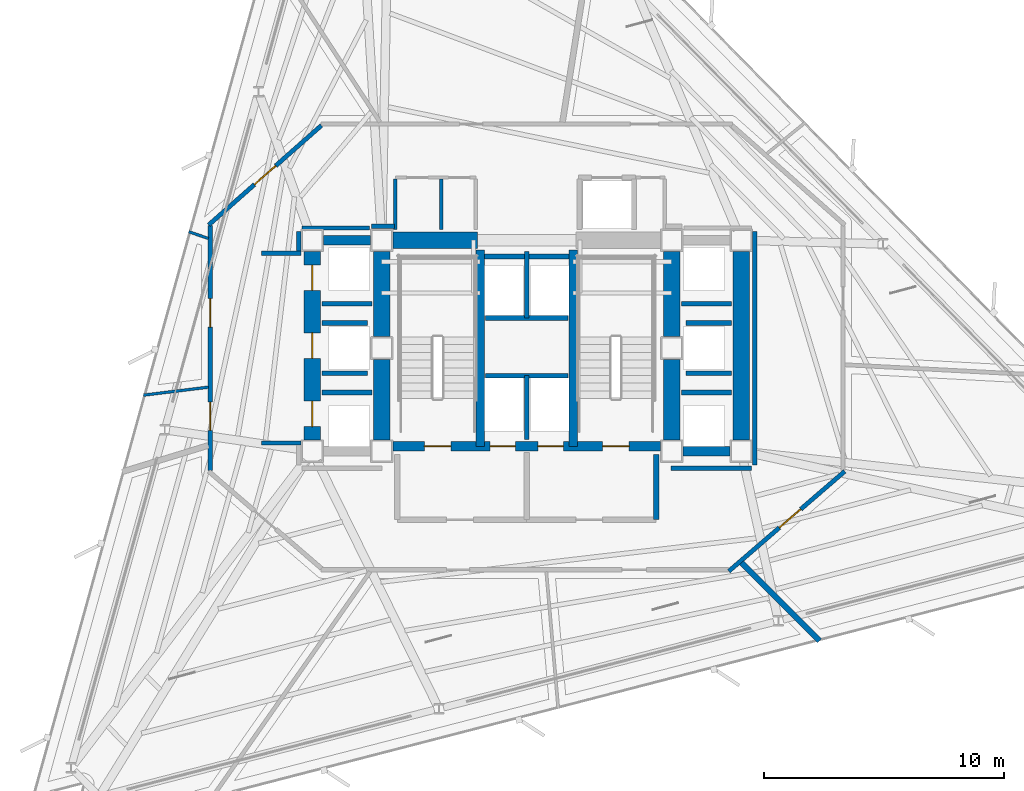
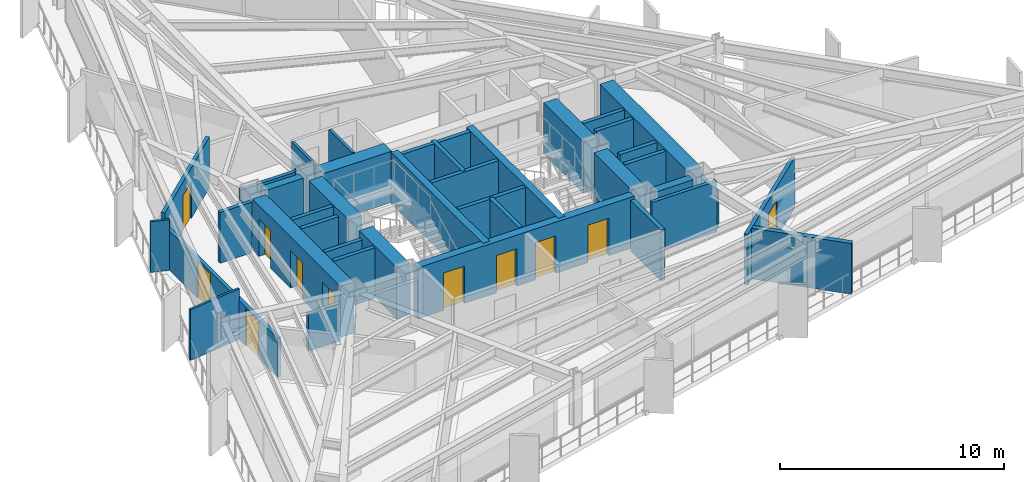
# One storey, part 7 of 11: 41 walls, 11 doors, 11 openings.
"""IFC4 building model written with IfcOpenShell, lengths in metres."""

from ifc_helpers import new_model, si_unit, direction, frame, frame_2d, origin, place, context, subcontext, project, spatial, rectangle, extrude, material, layer, layer_set, type_object, element, fill, save


model = new_model("IFC4")

# Units and contexts
model_context = context("Model", 3, precision=1e-05, world=origin(), true_north=direction((0.0, 1.0)))
body_context = subcontext(model_context, "Body", "Model", "MODEL_VIEW")
ifc_project = project(units=[si_unit("LENGTHUNIT", "METRE"), si_unit("AREAUNIT", "SQUARE_METRE"), si_unit("VOLUMEUNIT", "CUBIC_METRE"), si_unit("PLANEANGLEUNIT", "RADIAN"), si_unit("MASSUNIT", "GRAM", prefix="KILO")], contexts=[model_context])

# Site, building, storey
site_placement = place(None, origin())
site = spatial("IfcSite", under=ifc_project, at=site_placement, CompositionType="ELEMENT")
building_placement = place(site_placement, origin())
building = spatial("IfcBuilding", under=site, at=building_placement, Name="Rocaltana Carrier Exchange", CompositionType="ELEMENT")
storey_placement = place(building_placement, frame((0.0, 0.0, 94.719970703125)))
storey = spatial("IfcBuildingStorey", under=building, at=storey_placement, Name="L29", CompositionType="ELEMENT", Elevation=94.719970703125)

# Walls
ifc_material_1 = material(Name="Concrete C50/60", Category="concrete")
ifc_layer_1 = layer(ifc_material_1, 0.35009765625)
ifc_layer_set_1 = layer_set([ifc_layer_1], Name="Concrete C50/60")
wall_type_1 = type_object("IfcWallType", Name="Core Internal Shear Wall 350", PredefinedType="SHEAR", material=ifc_layer_set_1)
for number, where, z_axis, x_axis, name in (
    (1, (-1.93994140625, -4.10009765625, 0.0), (0.0, 0.0, 1.0), (0.0, 1.0, 0.0), "L29 Core Shear Wall CW-STW"),
    (2, (1.93994140625, -4.10009765625, 0.0), (0.0, 0.0, 1.0), (0.0, 1.0, 0.0), "L29 Core Shear Wall CW-STE"),
):
    element("IfcWall", number, at=place(storey_placement, frame(where, z_axis=z_axis, x_axis=x_axis)), inside=storey, type_object=wall_type_1, Name=name, PredefinedType="SHEAR", context=body_context, shape_type="SweptSolid", body=[
        extrude(rectangle(XDim=8.2001953125, YDim=0.35009765625, at=frame_2d((4.10009765625, 0.0))), origin(), (0.0, 0.0, 1.0), 2.7880859375),
    ])

# Wall, openings, doors
ifc_material_2 = material(Name="Concrete C50/60", Category="concrete")
ifc_layer_2 = layer(ifc_material_2, 0.39990234375)
ifc_layer_set_2 = layer_set([ifc_layer_2], Name="Concrete C50/60")
wall_type_2 = type_object("IfcWallType", Name="Core Internal Shear Wall 400", PredefinedType="SHEAR", material=ifc_layer_set_2)
wall_1_placement = place(storey_placement, frame((-5.574951171875, -4.10009765625, 0.0), z_axis=(0.0, 0.0, 1.0), x_axis=(1.0, 0.0, 0.0)))
wall_1 = element("IfcWall", 3, at=wall_1_placement, inside=storey, type_object=wall_type_2, Name="L29 Core Shear Wall CW-S", PredefinedType="SHEAR", context=body_context, shape_type="SweptSolid", body=[
    extrude(rectangle(XDim=11.14990234375, YDim=0.39990234375, at=frame_2d((5.574951171875, 0.0))), origin(), (0.0, 0.0, 1.0), 2.7880859375),
])
opening_1_placement = place(wall_1_placement, frame((1.304931640625, 0.0, 0.0)))
opening_1 = element("IfcOpeningElement", 4, at=opening_1_placement, cuts=wall_1, Name="Opening D-ST110", PredefinedType="OPENING", context=body_context, shape_type="SweptSolid", body=[
    extrude(rectangle(XDim=1.10009765625, YDim=2.0400390625, at=frame_2d((0.550048828125, 1.02001953125))), frame((0.0, 0.2099609375, 0.0), z_axis=(0.0, -1.0, 0.0), x_axis=(1.0, 0.0, 0.0)), (0.0, 0.0, 1.0), 0.419921875),
])
opening_2_placement = place(wall_1_placement, frame((8.7451171875, 0.0, 0.0)))
opening_2 = element("IfcOpeningElement", 5, at=opening_2_placement, cuts=wall_1, Name="Opening D-ST110", PredefinedType="OPENING", context=body_context, shape_type="SweptSolid", body=[
    extrude(rectangle(XDim=1.10009765625, YDim=2.0400390625, at=frame_2d((0.550048828125, 1.02001953125))), frame((0.0, 0.2099609375, 0.0), z_axis=(0.0, -1.0, 0.0), x_axis=(1.0, 0.0, 0.0)), (0.0, 0.0, 1.0), 0.419921875),
])
opening_3_placement = place(wall_1_placement, frame((4.044921875, 0.0, 0.0)))
opening_3 = element("IfcOpeningElement", 6, at=opening_3_placement, cuts=wall_1, Name="Opening LD-110", PredefinedType="OPENING", context=body_context, shape_type="SweptSolid", body=[
    extrude(rectangle(XDim=1.06005859375, YDim=2.0400390625, at=frame_2d((0.530029296875, 1.02001953125))), frame((0.0, 0.2099609375, 0.0), z_axis=(0.0, -1.0, 0.0), x_axis=(1.0, 0.0, 0.0)), (0.0, 0.0, 1.0), 0.419921875),
])
opening_4_placement = place(wall_1_placement, frame((6.044921875, 0.0, 0.0)))
opening_4 = element("IfcOpeningElement", 7, at=opening_4_placement, cuts=wall_1, Name="Opening LD-110", PredefinedType="OPENING", context=body_context, shape_type="SweptSolid", body=[
    extrude(rectangle(XDim=1.06005859375, YDim=2.0400390625, at=frame_2d((0.530029296875, 1.02001953125))), frame((0.0, 0.2099609375, 0.0), z_axis=(0.0, -1.0, 0.0), x_axis=(1.0, 0.0, 0.0)), (0.0, 0.0, 1.0), 0.419921875),
])
ifc_material_3 = material(Name="Hollow Metal Fire Door Assembly", Category="steel")
door_type_1 = type_object("IfcDoorType", Name="Exit Stair Fire Door 1100x2040 FD90S", OperationType="NOTDEFINED", PredefinedType="DOOR", material=ifc_material_3)
door_1_placement = place(opening_1_placement, origin())
door_1 = element("IfcDoor", 8, at=door_1_placement, inside=storey, type_object=door_type_1, Name="L29 Exit Stair ST1 Fire Door", OperationType="SINGLE_SWING_RIGHT", OverallHeight=2.0400390625, OverallWidth=1.10009765625, PredefinedType="DOOR", context=body_context, shape_type="SweptSolid", body=[
    extrude(rectangle(XDim=1.10009765625, YDim=2.0400390625, at=frame_2d((0.550048828125, 1.02001953125))), frame((0.0, 0.02490234375, 0.0), z_axis=(0.0, -1.0, 0.0), x_axis=(1.0, 0.0, 0.0)), (0.0, 0.0, 1.0), 0.050048828125),
])
fill(opening_1, door_1)
door_2_placement = place(opening_2_placement, origin())
door_2 = element("IfcDoor", 9, at=door_2_placement, inside=storey, type_object=door_type_1, Name="L29 Exit Stair ST2 Fire Door", OperationType="SINGLE_SWING_LEFT", OverallHeight=2.0400390625, OverallWidth=1.10009765625, PredefinedType="DOOR", context=body_context, shape_type="SweptSolid", body=[
    extrude(rectangle(XDim=1.10009765625, YDim=2.0400390625, at=frame_2d((0.550048828125, 1.02001953125))), frame((0.0, 0.02490234375, 0.0), z_axis=(0.0, -1.0, 0.0), x_axis=(1.0, 0.0, 0.0)), (0.0, 0.0, 1.0), 0.050048828125),
])
fill(opening_2, door_2)
ifc_material_4 = material(Name="Brushed Stainless Sliding Door Leaf", Category="steel")
door_type_2 = type_object("IfcDoorType", Name="Lift Landing Sliding Door 1060x2040", OperationType="NOTDEFINED", PredefinedType="DOOR", material=ifc_material_4)
door_3_placement = place(opening_3_placement, origin())
door_3 = element("IfcDoor", 10, at=door_3_placement, inside=storey, type_object=door_type_2, Name="L29 Firefighting Lift FFL1 Landing Door", OperationType="SLIDING_TO_LEFT", OverallHeight=2.0400390625, OverallWidth=1.06005859375, PredefinedType="DOOR", context=body_context, shape_type="SweptSolid", body=[
    extrude(rectangle(XDim=1.06005859375, YDim=2.0400390625, at=frame_2d((0.530029296875, 1.02001953125))), frame((0.0, 0.02490234375, 0.0), z_axis=(0.0, -1.0, 0.0), x_axis=(1.0, 0.0, 0.0)), (0.0, 0.0, 1.0), 0.050048828125),
])
fill(opening_3, door_3)
door_4_placement = place(opening_4_placement, origin())
door_4 = element("IfcDoor", 11, at=door_4_placement, inside=storey, type_object=door_type_2, Name="L29 Firefighting Lift FFL2 Landing Door", OperationType="SLIDING_TO_RIGHT", OverallHeight=2.0400390625, OverallWidth=1.06005859375, PredefinedType="DOOR", context=body_context, shape_type="SweptSolid", body=[
    extrude(rectangle(XDim=1.06005859375, YDim=2.0400390625, at=frame_2d((0.530029296875, 1.02001953125))), frame((0.0, 0.02490234375, 0.0), z_axis=(0.0, -1.0, 0.0), x_axis=(1.0, 0.0, 0.0)), (0.0, 0.0, 1.0), 0.050048828125),
])
fill(opening_4, door_4)

# Walls
for number, where, z_axis, x_axis, name in (
    (12, (-8.47509765625, 4.5, 0.0), (0.0, 0.0, 1.0), (1.0, 0.0, 0.0), "L29 Core Shear Wall CW-WWN"),
    (13, (6.52490234375, -4.300048828125, 0.0), (0.0, 0.0, 1.0), (1.0, 0.0, 0.0), "L29 Core Shear Wall CW-EWS"),
):
    element("IfcWall", number, at=place(storey_placement, frame(where, z_axis=z_axis, x_axis=x_axis)), inside=storey, type_object=wall_type_2, Name=name, PredefinedType="SHEAR", context=body_context, shape_type="SweptSolid", body=[
        extrude(rectangle(XDim=1.9501953125, YDim=0.39990234375, at=frame_2d((0.97509765625, 0.0))), origin(), (0.0, 0.0, 1.0), 2.7880859375),
    ])
ifc_material_5 = material(Name="Concrete C60/75", Category="concrete")
ifc_layer_3 = layer(ifc_material_5, 0.699951171875)
ifc_layer_set_3 = layer_set([ifc_layer_3], Name="Concrete C60/75")
wall_type_3 = type_object("IfcWallType", Name="Core Shear Wall 700", PredefinedType="SHEAR", material=ifc_layer_set_3)
wall_2_placement = place(storey_placement, frame((-6.050048828125, 0.47509765625, 0.0), z_axis=(0.0, 0.0, 1.0), x_axis=(0.0, 1.0, 0.0)))
element("IfcWall", 14, at=wall_2_placement, inside=storey, type_object=wall_type_3, Name="L29 Core Shear Wall CW-WN", PredefinedType="SHEAR", context=body_context, shape_type="SweptSolid", body=[
    extrude(rectangle(XDim=3.5498046875, YDim=0.699951171875, at=frame_2d((1.77490234375, 0.0))), origin(), (0.0, 0.0, 1.0), 2.7880859375),
])
wall_3_placement = place(storey_placement, frame((-6.050048828125, -3.824951171875, 0.0), z_axis=(0.0, 0.0, 1.0), x_axis=(0.0, 1.0, 0.0)))
element("IfcWall", 15, at=wall_3_placement, inside=storey, type_object=wall_type_3, Name="L29 Core Shear Wall CW-WS", PredefinedType="SHEAR", context=body_context, shape_type="SweptSolid", body=[
    extrude(rectangle(XDim=3.349853515625, YDim=0.699951171875, at=frame_2d((1.6748046875, 0.0))), origin(), (0.0, 0.0, 1.0), 2.7880859375),
])
wall_4_placement = place(storey_placement, frame((6.050048828125, 0.47509765625, 0.0), z_axis=(0.0, 0.0, 1.0), x_axis=(0.0, 1.0, 0.0)))
element("IfcWall", 16, at=wall_4_placement, inside=storey, type_object=wall_type_3, Name="L29 Core Shear Wall CW-EN", PredefinedType="SHEAR", context=body_context, shape_type="SweptSolid", body=[
    extrude(rectangle(XDim=3.5498046875, YDim=0.699951171875, at=frame_2d((1.77490234375, 0.0))), origin(), (0.0, 0.0, 1.0), 2.7880859375),
])
wall_5_placement = place(storey_placement, frame((6.050048828125, -3.824951171875, 0.0), z_axis=(0.0, 0.0, 1.0), x_axis=(0.0, 1.0, 0.0)))
element("IfcWall", 17, at=wall_5_placement, inside=storey, type_object=wall_type_3, Name="L29 Core Shear Wall CW-ES", PredefinedType="SHEAR", context=body_context, shape_type="SweptSolid", body=[
    extrude(rectangle(XDim=3.349853515625, YDim=0.699951171875, at=frame_2d((1.6748046875, 0.0))), origin(), (0.0, 0.0, 1.0), 2.7880859375),
])
wall_6_placement = place(storey_placement, frame((-5.574951171875, 4.5, 0.0), z_axis=(0.0, 0.0, 1.0), x_axis=(1.0, 0.0, 0.0)))
element("IfcWall", 18, at=wall_6_placement, inside=storey, type_object=wall_type_3, Name="L29 Core Shear Wall CW-N1", PredefinedType="SHEAR", context=body_context, shape_type="SweptSolid", body=[
    extrude(rectangle(XDim=3.52490234375, YDim=0.699951171875, at=frame_2d((1.762451171875, 0.0))), origin(), (0.0, 0.0, 1.0), 2.7880859375),
])

# Wall, openings, doors
wall_7_placement = place(storey_placement, frame((-8.949951171875, -3.824951171875, 0.0), z_axis=(0.0, 0.0, 1.0), x_axis=(0.0, 1.0, 0.0)))
wall_7 = element("IfcWall", 19, at=wall_7_placement, inside=storey, type_object=wall_type_3, Name="L29 Core Shear Wall CW-WW", PredefinedType="SHEAR", context=body_context, shape_type="SweptSolid", body=[
    extrude(rectangle(XDim=7.849853515625, YDim=0.699951171875, at=frame_2d((3.9248046875, 0.0))), origin(), (0.0, 0.0, 1.0), 2.7880859375),
])
opening_5_placement = place(wall_7_placement, frame((0.550048828125, 0.0, 0.0)))
opening_5 = element("IfcOpeningElement", 20, at=opening_5_placement, cuts=wall_7, Name="Opening LD-110", PredefinedType="OPENING", context=body_context, shape_type="SweptSolid", body=[
    extrude(rectangle(XDim=1.06005859375, YDim=2.0400390625, at=frame_2d((0.530029296875, 1.02001953125))), frame((0.0, 0.35986328125, 0.0), z_axis=(0.0, -1.0, 0.0), x_axis=(1.0, 0.0, 0.0)), (0.0, 0.0, 1.0), 0.719970703125),
])
opening_6_placement = place(wall_7_placement, frame((3.39501953125, 0.0, 0.0)))
opening_6 = element("IfcOpeningElement", 21, at=opening_6_placement, cuts=wall_7, Name="Opening LD-110", PredefinedType="OPENING", context=body_context, shape_type="SweptSolid", body=[
    extrude(rectangle(XDim=1.06005859375, YDim=2.0400390625, at=frame_2d((0.530029296875, 1.02001953125))), frame((0.0, 0.35986328125, 0.0), z_axis=(0.0, -1.0, 0.0), x_axis=(1.0, 0.0, 0.0)), (0.0, 0.0, 1.0), 0.719970703125),
])
opening_7_placement = place(wall_7_placement, frame((6.22998046875, 0.0, 0.0)))
opening_7 = element("IfcOpeningElement", 22, at=opening_7_placement, cuts=wall_7, Name="Opening LD-110", PredefinedType="OPENING", context=body_context, shape_type="SweptSolid", body=[
    extrude(rectangle(XDim=1.06005859375, YDim=2.0400390625, at=frame_2d((0.530029296875, 1.02001953125))), frame((0.0, 0.35986328125, 0.0), z_axis=(0.0, -1.0, 0.0), x_axis=(1.0, 0.0, 0.0)), (0.0, 0.0, 1.0), 0.719970703125),
])
door_5_placement = place(opening_5_placement, origin())
door_5 = element("IfcDoor", 23, at=door_5_placement, inside=storey, type_object=door_type_2, Name="L29 Low-Rise Lift PL-L1 Landing Door", OperationType="SLIDING_TO_LEFT", OverallHeight=2.0400390625, OverallWidth=1.06005859375, PredefinedType="DOOR", context=body_context, shape_type="SweptSolid", body=[
    extrude(rectangle(XDim=1.06005859375, YDim=2.0400390625, at=frame_2d((0.530029296875, 1.02001953125))), frame((0.0, 0.02490234375, 0.0), z_axis=(0.0, -1.0, 0.0), x_axis=(1.0, 0.0, 0.0)), (0.0, 0.0, 1.0), 0.050048828125),
])
fill(opening_5, door_5)
door_6_placement = place(opening_6_placement, origin())
door_6 = element("IfcDoor", 24, at=door_6_placement, inside=storey, type_object=door_type_2, Name="L29 Low-Rise Lift PL-L2 Landing Door", OperationType="SLIDING_TO_RIGHT", OverallHeight=2.0400390625, OverallWidth=1.06005859375, PredefinedType="DOOR", context=body_context, shape_type="SweptSolid", body=[
    extrude(rectangle(XDim=1.06005859375, YDim=2.0400390625, at=frame_2d((0.530029296875, 1.02001953125))), frame((0.0, 0.02490234375, 0.0), z_axis=(0.0, -1.0, 0.0), x_axis=(1.0, 0.0, 0.0)), (0.0, 0.0, 1.0), 0.050048828125),
])
fill(opening_6, door_6)
door_7_placement = place(opening_7_placement, origin())
door_7 = element("IfcDoor", 25, at=door_7_placement, inside=storey, type_object=door_type_2, Name="L29 Low-Rise Lift PL-L3 Landing Door", OperationType="SLIDING_TO_LEFT", OverallHeight=2.0400390625, OverallWidth=1.06005859375, PredefinedType="DOOR", context=body_context, shape_type="SweptSolid", body=[
    extrude(rectangle(XDim=1.06005859375, YDim=2.0400390625, at=frame_2d((0.530029296875, 1.02001953125))), frame((0.0, 0.02490234375, 0.0), z_axis=(0.0, -1.0, 0.0), x_axis=(1.0, 0.0, 0.0)), (0.0, 0.0, 1.0), 0.050048828125),
])
fill(opening_7, door_7)

# Wall
wall_8_placement = place(storey_placement, frame((8.949951171875, -3.824951171875, 0.0), z_axis=(0.0, 0.0, 1.0), x_axis=(0.0, 1.0, 0.0)))
element("IfcWall", 26, at=wall_8_placement, inside=storey, type_object=wall_type_3, Name="L29 Core Shear Wall CW-EW", PredefinedType="SHEAR", context=body_context, shape_type="SweptSolid", body=[
    extrude(rectangle(XDim=7.849853515625, YDim=0.699951171875, at=frame_2d((3.9248046875, 0.0))), origin(), (0.0, 0.0, 1.0), 2.7880859375),
])

# Wall, opening, door
ifc_material_6 = material(Name="Gypsum & Steel Stud Partition", Category="steel")
ifc_layer_4 = layer(ifc_material_6, 0.179931640625)
ifc_layer_set_4 = layer_set([ifc_layer_4], Name="Gypsum & Steel Stud Partition")
wall_type_4 = type_object("IfcWallType", Name="Corridor Fire Partition 180 EI60", PredefinedType="PARTITIONING", material=ifc_layer_set_4)
wall_9_placement = place(storey_placement, frame((13.268310546875, -5.14111328125, 0.0), z_axis=(0.0, 0.0, 1.0), x_axis=(-0.757534501725, -0.65279512766, 0.0)))
wall_9 = element("IfcWall", 27, at=wall_9_placement, inside=storey, type_object=wall_type_4, Name="L29 Corridor Partition 4", PredefinedType="PARTITIONING", context=body_context, shape_type="SweptSolid", body=[
    extrude(rectangle(XDim=6.384521484375, YDim=0.179931640625, at=frame_2d((3.1923828125, 0.0))), origin(), (0.0, 0.0, 1.0), 2.762939453125),
])
opening_8_placement = place(wall_9_placement, frame((2.41845703125, 0.0, 0.0)))
opening_8 = element("IfcOpeningElement", 28, at=opening_8_placement, cuts=wall_9, Name="Opening D-SU120", PredefinedType="OPENING", context=body_context, shape_type="SweptSolid", body=[
    extrude(rectangle(XDim=1.179931640625, YDim=2.02001953125, at=frame_2d((0.58984375, 1.010009765625))), frame((0.0, 0.099853515625, 0.0), z_axis=(0.0, -1.0, 0.0), x_axis=(1.0, 0.0, 0.0)), (0.0, 0.0, 1.0), 0.199951171875),
])
ifc_material_7 = material(Name="Engineered Hardwood Timber", Category="wood")
door_type_3 = type_object("IfcDoorType", Name="Suite Double Entrance Door 1180x2020", OperationType="NOTDEFINED", PredefinedType="DOOR", material=ifc_material_7)
door_8_placement = place(opening_8_placement, origin())
door_8 = element("IfcDoor", 29, at=door_8_placement, inside=storey, type_object=door_type_3, Name="L29 Carrier Peering Suite Entrance Door", OperationType="SINGLE_SWING_LEFT", OverallHeight=2.02001953125, OverallWidth=1.179931640625, PredefinedType="DOOR", context=body_context, shape_type="SweptSolid", body=[
    extrude(rectangle(XDim=1.179931640625, YDim=2.02001953125, at=frame_2d((0.58984375, 1.010009765625))), frame((0.0, 0.02490234375, 0.0), z_axis=(0.0, -1.0, 0.0), x_axis=(1.0, 0.0, 0.0)), (0.0, 0.0, 1.0), 0.050048828125),
])
fill(opening_8, door_8)

# Wall, openings, doors
wall_10_placement = place(storey_placement, frame((-13.199951171875, -5.110107421875, 0.0), z_axis=(0.0, 0.0, 1.0), x_axis=(0.0, 1.0, 0.0)))
wall_10 = element("IfcWall", 30, at=wall_10_placement, inside=storey, type_object=wall_type_4, Name="L29 Corridor Partition 7", PredefinedType="PARTITIONING", context=body_context, shape_type="SweptSolid", body=[
    extrude(rectangle(XDim=10.22021484375, YDim=0.179931640625, at=frame_2d((5.110107421875, 0.0))), origin(), (0.0, 0.0, 1.0), 2.14306640625),
])
opening_9_placement = place(wall_10_placement, frame((1.675537109375, 0.0, 0.0)))
opening_9 = element("IfcOpeningElement", 31, at=opening_9_placement, cuts=wall_10, Name="Opening D-SU120", PredefinedType="OPENING", context=body_context, shape_type="SweptSolid", body=[
    extrude(rectangle(XDim=1.179931640625, YDim=2.02001953125, at=frame_2d((0.58984375, 1.010009765625))), frame((0.0, 0.099853515625, 0.0), z_axis=(0.0, -1.0, 0.0), x_axis=(1.0, 0.0, 0.0)), (0.0, 0.0, 1.0), 0.199951171875),
])
opening_10_placement = place(wall_10_placement, frame((5.989990234375, 0.0, 0.0)))
opening_10 = element("IfcOpeningElement", 32, at=opening_10_placement, cuts=wall_10, Name="Opening D-SU120", PredefinedType="OPENING", context=body_context, shape_type="SweptSolid", body=[
    extrude(rectangle(XDim=1.179931640625, YDim=2.02001953125, at=frame_2d((0.58984375, 1.010009765625))), frame((0.0, 0.099853515625, 0.0), z_axis=(0.0, -1.0, 0.0), x_axis=(1.0, 0.0, 0.0)), (0.0, 0.0, 1.0), 0.199951171875),
])
door_9_placement = place(opening_9_placement, origin())
door_9 = element("IfcDoor", 33, at=door_9_placement, inside=storey, type_object=door_type_3, Name="L29 Carrier Peering Suite Entrance Door", OperationType="SINGLE_SWING_LEFT", OverallHeight=2.02001953125, OverallWidth=1.179931640625, PredefinedType="DOOR", context=body_context, shape_type="SweptSolid", body=[
    extrude(rectangle(XDim=1.179931640625, YDim=2.02001953125, at=frame_2d((0.58984375, 1.010009765625))), frame((0.0, 0.02490234375, 0.0), z_axis=(0.0, -1.0, 0.0), x_axis=(1.0, 0.0, 0.0)), (0.0, 0.0, 1.0), 0.050048828125),
])
fill(opening_9, door_9)
door_10_placement = place(opening_10_placement, origin())
door_10 = element("IfcDoor", 34, at=door_10_placement, inside=storey, type_object=door_type_3, Name="L29 Carrier Peering Suite Entrance Door", OperationType="SINGLE_SWING_RIGHT", OverallHeight=2.02001953125, OverallWidth=1.179931640625, PredefinedType="DOOR", context=body_context, shape_type="SweptSolid", body=[
    extrude(rectangle(XDim=1.179931640625, YDim=2.02001953125, at=frame_2d((0.58984375, 1.010009765625))), frame((0.0, 0.02490234375, 0.0), z_axis=(0.0, -1.0, 0.0), x_axis=(1.0, 0.0, 0.0)), (0.0, 0.0, 1.0), 0.050048828125),
])
fill(opening_10, door_10)

# Wall, opening, door
wall_11_placement = place(storey_placement, frame((-13.267578125, 5.140380859375, 0.0), z_axis=(0.0, 0.0, 1.0), x_axis=(0.749626463267, 0.66186113768, 0.0)))
wall_11 = element("IfcWall", 35, at=wall_11_placement, inside=storey, type_object=wall_type_4, Name="L29 Corridor Partition 8", PredefinedType="PARTITIONING", context=body_context, shape_type="SweptSolid", body=[
    extrude(rectangle(XDim=6.27001953125, YDim=0.179931640625, at=frame_2d((3.135009765625, 0.0))), origin(), (0.0, 0.0, 1.0), 2.762939453125),
])
opening_11_placement = place(wall_11_placement, frame((2.544921875, 0.0, 0.0)))
opening_11 = element("IfcOpeningElement", 36, at=opening_11_placement, cuts=wall_11, Name="Opening D-SU120", PredefinedType="OPENING", context=body_context, shape_type="SweptSolid", body=[
    extrude(rectangle(XDim=1.179931640625, YDim=2.02001953125, at=frame_2d((0.58984375, 1.010009765625))), frame((0.0, 0.099853515625, 0.0), z_axis=(0.0, -1.0, 0.0), x_axis=(1.0, 0.0, 0.0)), (0.0, 0.0, 1.0), 0.199951171875),
])
door_11_placement = place(opening_11_placement, origin())
door_11 = element("IfcDoor", 37, at=door_11_placement, inside=storey, type_object=door_type_3, Name="L29 Carrier Peering Suite Entrance Door", OperationType="SINGLE_SWING_LEFT", OverallHeight=2.02001953125, OverallWidth=1.179931640625, PredefinedType="DOOR", context=body_context, shape_type="SweptSolid", body=[
    extrude(rectangle(XDim=1.179931640625, YDim=2.02001953125, at=frame_2d((0.58984375, 1.010009765625))), frame((0.0, 0.02490234375, 0.0), z_axis=(0.0, -1.0, 0.0), x_axis=(1.0, 0.0, 0.0)), (0.0, 0.0, 1.0), 0.050048828125),
])
fill(opening_11, door_11)

# Walls
wall_12_placement = place(storey_placement, frame((-9.510009765625, 4.8701171875, 0.0), z_axis=(0.0, 0.0, 1.0), x_axis=(0.0, -1.0, 0.0)))
element("IfcWall", 38, at=wall_12_placement, inside=storey, type_object=wall_type_4, Name="L29 Corridor Partition 9", PredefinedType="PARTITIONING", context=body_context, shape_type="SweptSolid", body=[
    extrude(rectangle(XDim=0.820068359375, YDim=0.179931640625, at=frame_2d((0.41015625, 0.0))), origin(), (0.0, 0.0, 1.0), 2.277099609375),
])
wall_13_placement = place(storey_placement, frame((-9.419921875, 3.9599609375, 0.0), z_axis=(0.0, 0.0, 1.0), x_axis=(-1.0, 0.0, 0.0)))
element("IfcWall", 39, at=wall_13_placement, inside=storey, type_object=wall_type_4, Name="L29 Corridor Partition 10", PredefinedType="PARTITIONING", context=body_context, shape_type="SweptSolid", body=[
    extrude(rectangle(XDim=1.650146484375, YDim=0.179931640625, at=frame_2d((0.8251953125, 0.0))), origin(), (0.0, 0.0, 1.0), 2.762939453125),
])
wall_14_placement = place(storey_placement, frame((-11.070068359375, -3.9599609375, 0.0), z_axis=(0.0, 0.0, 1.0), x_axis=(1.0, 0.0, 0.0)))
element("IfcWall", 40, at=wall_14_placement, inside=storey, type_object=wall_type_4, Name="L29 Corridor Partition 11", PredefinedType="PARTITIONING", context=body_context, shape_type="SweptSolid", body=[
    extrude(rectangle(XDim=1.650146484375, YDim=0.179931640625, at=frame_2d((0.8251953125, 0.0))), origin(), (0.0, 0.0, 1.0), 2.048095703125),
])
wall_15_placement = place(storey_placement, frame((6.030029296875, -5.010009765625, 0.0), z_axis=(0.0, 0.0, 1.0), x_axis=(1.0, 0.0, 0.0)))
element("IfcWall", 41, at=wall_15_placement, inside=storey, type_object=wall_type_4, Name="L29 Corridor Partition 16", PredefinedType="PARTITIONING", context=body_context, shape_type="SweptSolid", body=[
    extrude(rectangle(XDim=3.340087890625, YDim=0.179931640625, at=frame_2d((1.669921875, 0.0))), origin(), (0.0, 0.0, 1.0), 2.762939453125),
])
wall_16_placement = place(storey_placement, frame((9.510009765625, -4.8701171875, 0.0), z_axis=(0.0, 0.0, 1.0), x_axis=(0.0, 1.0, 0.0)))
element("IfcWall", 42, at=wall_16_placement, inside=storey, type_object=wall_type_4, Name="L29 Corridor Partition 17", PredefinedType="PARTITIONING", context=body_context, shape_type="SweptSolid", body=[
    extrude(rectangle(XDim=9.740234375, YDim=0.179931640625, at=frame_2d((4.8701171875, 0.0))), origin(), (0.0, 0.0, 1.0), 2.048095703125),
])
wall_17_placement = place(storey_placement, frame((-5.52001953125, 5.080078125, 0.0), z_axis=(0.0, 0.0, 1.0), x_axis=(-1.0, 0.0, 0.0)))
element("IfcWall", 43, at=wall_17_placement, inside=storey, type_object=wall_type_4, Name="L29 Corridor Partition 22", PredefinedType="PARTITIONING", context=body_context, shape_type="SweptSolid", body=[
    extrude(rectangle(XDim=0.949951171875, YDim=0.179931640625, at=frame_2d((0.47509765625, 0.0))), origin(), (0.0, 0.0, 1.0), 2.762939453125),
])
wall_18_placement = place(storey_placement, frame((-6.562255859375, 5.010009765625, 0.0), z_axis=(0.0, 0.0, 1.0), x_axis=(-1.0, 0.0, 0.0)))
element("IfcWall", 44, at=wall_18_placement, inside=storey, type_object=wall_type_4, Name="L29 Corridor Partition 23", PredefinedType="PARTITIONING", context=body_context, shape_type="SweptSolid", body=[
    extrude(rectangle(XDim=2.807861328125, YDim=0.179931640625, at=frame_2d((1.40380859375, 0.0))), origin(), (0.0, 0.0, 1.0), 2.762939453125),
])
ifc_material_8 = material(Name="Aluminium 6063-T6 & Acoustic Glass", Category="aluminium")
ifc_layer_5 = layer(ifc_material_8, 0.114990234375)
ifc_layer_set_5 = layer_set([ifc_layer_5], Name="Aluminium 6063-T6 & Acoustic Glass")
wall_type_5 = type_object("IfcWallType", Name="Demountable Glazed Lab Partition 115", PredefinedType="MOVABLE", material=ifc_layer_set_5)
wall_19_placement = place(storey_placement, frame((-13.280029296875, -1.630615234375, 0.0), z_axis=(0.0, 0.0, 1.0), x_axis=(-0.992544972431, -0.121878946921, 0.0)))
element("IfcWall", 45, at=wall_19_placement, inside=storey, type_object=wall_type_5, Name="L29 Suite Divider Wall D1", PredefinedType="MOVABLE", context=body_context, shape_type="SweptSolid", body=[
    extrude(rectangle(XDim=2.732177734375, YDim=0.114990234375, at=frame_2d((1.3662109375, 0.0))), origin(), (0.0, 0.0, 1.0), 2.762939453125),
])
wall_20_placement = place(storey_placement, frame((-13.280029296875, 4.57275390625, 0.0), z_axis=(0.0, 0.0, 1.0), x_axis=(-0.945516304874, 0.325574749047, 0.0)))
element("IfcWall", 46, at=wall_20_placement, inside=storey, type_object=wall_type_5, Name="L29 Suite Divider Wall D10", PredefinedType="MOVABLE", context=body_context, shape_type="SweptSolid", body=[
    extrude(rectangle(XDim=0.868408203125, YDim=0.114990234375, at=frame_2d((0.43408203125, 0.0))), origin(), (0.0, 0.0, 1.0), 2.762939453125),
])
ifc_material_9 = material(Name="Autoclaved Aerated Concrete C30/37", Category="concrete")
ifc_layer_6 = layer(ifc_material_9, 0.219970703125)
ifc_layer_set_6 = layer_set([ifc_layer_6], Name="Autoclaved Aerated Concrete C30/37")
wall_type_6 = type_object("IfcWallType", Name="Firefighting Lobby Wall 220 EI120", PredefinedType="PARTITIONING", material=ifc_layer_set_6)
wall_21_placement = place(storey_placement, frame((5.39990234375, -7.159912109375, 0.0), z_axis=(0.0, 0.0, 1.0), x_axis=(0.0, 1.0, 0.0)))
element("IfcWall", 47, at=wall_21_placement, inside=storey, type_object=wall_type_6, Name="L29 FFL Lobby 2 East Wall", PredefinedType="PARTITIONING", context=body_context, shape_type="SweptSolid", body=[
    extrude(rectangle(XDim=2.7099609375, YDim=0.219970703125, at=frame_2d((1.35498046875, 0.0))), origin(), (0.0, 0.0, 1.0), 2.762939453125),
])
ifc_material_10 = material(Name="Acoustic Calcium Silicate Partition", Category="gypsum")
ifc_layer_7 = layer(ifc_material_10, 0.239990234375)
ifc_layer_set_7 = layer_set([ifc_layer_7], Name="Acoustic Calcium Silicate Partition")
wall_type_7 = type_object("IfcWallType", Name="Heavy Lab Partition 240 EI90", PredefinedType="PARTITIONING", material=ifc_layer_set_7)
wall_22_placement = place(storey_placement, frame((8.959716796875, -8.959716796875, 0.0), z_axis=(0.0, 0.0, 1.0), x_axis=(0.707106781187, -0.707106781187, 0.0)))
element("IfcWall", 48, at=wall_22_placement, inside=storey, type_object=wall_type_7, Name="L29 Suite Divider Wall D5", PredefinedType="PARTITIONING", context=body_context, shape_type="SweptSolid", body=[
    extrude(rectangle(XDim=4.605224609375, YDim=0.239990234375, at=frame_2d((2.302734375, 0.0))), origin(), (0.0, 0.0, 1.0), 2.762939453125),
])
ifc_material_11 = material(Name="Reinforced Concrete Block C35/45", Category="concrete")
ifc_layer_8 = layer(ifc_material_11, 0.199951171875)
ifc_layer_set_8 = layer_set([ifc_layer_8], Name="Reinforced Concrete Block C35/45")
wall_type_8 = type_object("IfcWallType", Name="Lift Hoistway Enclosure Wall 200 EI120", PredefinedType="PARTITIONING", material=ifc_layer_set_8)
wall_23_placement = place(storey_placement, frame((0.0, -3.820068359375, 0.0), z_axis=(0.0, 0.0, 1.0), x_axis=(0.0, 1.0, 0.0)))
element("IfcWall", 49, at=wall_23_placement, inside=storey, type_object=wall_type_8, Name="L29 FFL Shaft Divider", PredefinedType="PARTITIONING", context=body_context, shape_type="SweptSolid", body=[
    extrude(rectangle(XDim=2.670166015625, YDim=0.199951171875, at=frame_2d((1.3349609375, 0.0))), origin(), (0.0, 0.0, 1.0), 2.762939453125),
])
wall_24_placement = place(storey_placement, frame((-1.719970703125, -1.14990234375, 0.0), z_axis=(0.0, 0.0, 1.0), x_axis=(1.0, 0.0, 0.0)))
element("IfcWall", 50, at=wall_24_placement, inside=storey, type_object=wall_type_8, Name="L29 FFL Shaft Back Wall", PredefinedType="PARTITIONING", context=body_context, shape_type="SweptSolid", body=[
    extrude(rectangle(XDim=3.43994140625, YDim=0.199951171875, at=frame_2d((1.719970703125, 0.0))), origin(), (0.0, 0.0, 1.0), 2.762939453125),
])
wall_25_placement = place(storey_placement, frame((0.0, 1.25, 0.0), z_axis=(0.0, 0.0, 1.0), x_axis=(0.0, 1.0, 0.0)))
element("IfcWall", 51, at=wall_25_placement, inside=storey, type_object=wall_type_8, Name="L29 High-Rise Shaft Divider", PredefinedType="PARTITIONING", context=body_context, shape_type="SweptSolid", body=[
    extrude(rectangle(XDim=2.77001953125, YDim=0.199951171875, at=frame_2d((1.385009765625, 0.0))), origin(), (0.0, 0.0, 1.0), 2.762939453125),
])
wall_26_placement = place(storey_placement, frame((-1.719970703125, 1.25, 0.0), z_axis=(0.0, 0.0, 1.0), x_axis=(1.0, 0.0, 0.0)))
element("IfcWall", 52, at=wall_26_placement, inside=storey, type_object=wall_type_8, Name="L29 High-Rise Shaft Back Wall", PredefinedType="PARTITIONING", context=body_context, shape_type="SweptSolid", body=[
    extrude(rectangle(XDim=3.43994140625, YDim=0.199951171875, at=frame_2d((1.719970703125, 0.0))), origin(), (0.0, 0.0, 1.0), 2.762939453125),
])
wall_27_placement = place(storey_placement, frame((-1.760009765625, 3.820068359375, 0.0), z_axis=(0.0, 0.0, 1.0), x_axis=(1.0, 0.0, 0.0)))
element("IfcWall", 53, at=wall_27_placement, inside=storey, type_object=wall_type_8, Name="L29 High-Rise Lift Front Wall", PredefinedType="PARTITIONING", context=body_context, shape_type="SweptSolid", body=[
    extrude(rectangle(XDim=3.52001953125, YDim=0.199951171875, at=frame_2d((1.760009765625, 0.0))), origin(), (0.0, 0.0, 1.0), 2.762939453125),
])
for number, where, z_axis, x_axis, name in (
    (54, (-8.550048828125, -1.85009765625, 0.0), (0.0, 0.0, 1.0), (1.0, 0.0, 0.0), "L29 Low-Rise Shaft Divider 1"),
    (55, (-8.550048828125, 1.85009765625, 0.0), (0.0, 0.0, 1.0), (1.0, 0.0, 0.0), "L29 Low-Rise Shaft Divider 2"),
):
    element("IfcWall", number, at=place(storey_placement, frame(where, z_axis=z_axis, x_axis=x_axis)), inside=storey, type_object=wall_type_8, Name=name, PredefinedType="PARTITIONING", context=body_context, shape_type="SweptSolid", body=[
        extrude(rectangle(XDim=2.10009765625, YDim=0.199951171875, at=frame_2d((1.050048828125, 0.0))), origin(), (0.0, 0.0, 1.0), 2.762939453125),
    ])
for number, where, z_axis, x_axis, name in (
    (56, (-8.550048828125, -1.050048828125, 0.0), (0.0, 0.0, 1.0), (1.0, 0.0, 0.0), "L29 Low-Rise Center Shaft Wall South"),
    (57, (-8.550048828125, 1.050048828125, 0.0), (0.0, 0.0, 1.0), (1.0, 0.0, 0.0), "L29 Low-Rise Center Shaft Wall North"),
):
    element("IfcWall", number, at=place(storey_placement, frame(where, z_axis=z_axis, x_axis=x_axis)), inside=storey, type_object=wall_type_8, Name=name, PredefinedType="PARTITIONING", context=body_context, shape_type="SweptSolid", body=[
        extrude(rectangle(XDim=1.91015625, YDim=0.199951171875, at=frame_2d((0.955078125, 0.0))), origin(), (0.0, 0.0, 1.0), 2.762939453125),
    ])
for number, where, z_axis, x_axis, name in (
    (58, (6.449951171875, -1.85009765625, 0.0), (0.0, 0.0, 1.0), (1.0, 0.0, 0.0), "L29 Mid-Rise Shaft Divider 1"),
    (59, (6.449951171875, 1.85009765625, 0.0), (0.0, 0.0, 1.0), (1.0, 0.0, 0.0), "L29 Mid-Rise Shaft Divider 2"),
):
    element("IfcWall", number, at=place(storey_placement, frame(where, z_axis=z_axis, x_axis=x_axis)), inside=storey, type_object=wall_type_8, Name=name, PredefinedType="PARTITIONING", context=body_context, shape_type="SweptSolid", body=[
        extrude(rectangle(XDim=2.10009765625, YDim=0.199951171875, at=frame_2d((1.050048828125, 0.0))), origin(), (0.0, 0.0, 1.0), 2.762939453125),
    ])
for number, where, z_axis, x_axis, name in (
    (60, (6.639892578125, -1.050048828125, 0.0), (0.0, 0.0, 1.0), (1.0, 0.0, 0.0), "L29 Mid-Rise Center Shaft Wall South"),
    (61, (6.639892578125, 1.050048828125, 0.0), (0.0, 0.0, 1.0), (1.0, 0.0, 0.0), "L29 Mid-Rise Center Shaft Wall North"),
):
    element("IfcWall", number, at=place(storey_placement, frame(where, z_axis=z_axis, x_axis=x_axis)), inside=storey, type_object=wall_type_8, Name=name, PredefinedType="PARTITIONING", context=body_context, shape_type="SweptSolid", body=[
        extrude(rectangle(XDim=1.91015625, YDim=0.199951171875, at=frame_2d((0.955078125, 0.0))), origin(), (0.0, 0.0, 1.0), 2.762939453125),
    ])
ifc_material_12 = material(Name="Moisture-Resistant Masonry C30/37", Category="masonry")
ifc_layer_9 = layer(ifc_material_12, 0.139892578125)
ifc_layer_set_9 = layer_set([ifc_layer_9], Name="Moisture-Resistant Masonry C30/37")
wall_type_9 = type_object("IfcWallType", Name="Wet-Area Sanitary Partition 140", PredefinedType="PARTITIONING", material=ifc_layer_set_9)
for number, where, z_axis, x_axis, name in (
    (62, (-5.47998046875, 4.949951171875, 0.0), (0.0, 0.0, 1.0), (0.0, 1.0, 0.0), "L29 Sanitary West Wall"),
    (63, (-3.56005859375, 4.949951171875, 0.0), (0.0, 0.0, 1.0), (0.0, 1.0, 0.0), "L29 Sanitary Divider"),
):
    element("IfcWall", number, at=place(storey_placement, frame(where, z_axis=z_axis, x_axis=x_axis)), inside=storey, type_object=wall_type_9, Name=name, PredefinedType="PARTITIONING", context=body_context, shape_type="SweptSolid", body=[
        extrude(rectangle(XDim=2.10009765625, YDim=0.139892578125, at=frame_2d((1.050048828125, 0.0))), origin(), (0.0, 0.0, 1.0), 2.762939453125),
    ])

save(model, "model.ifc")
